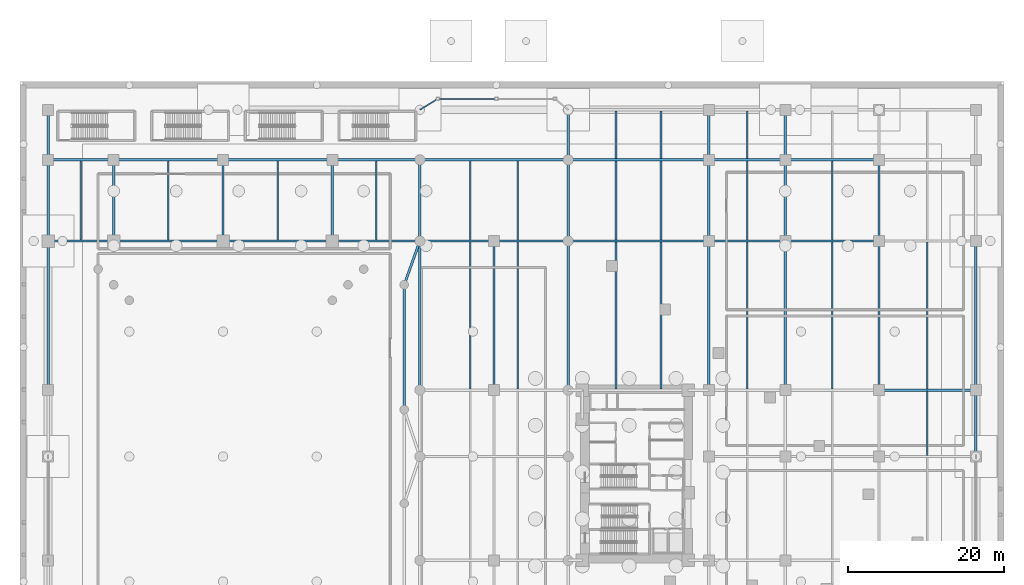
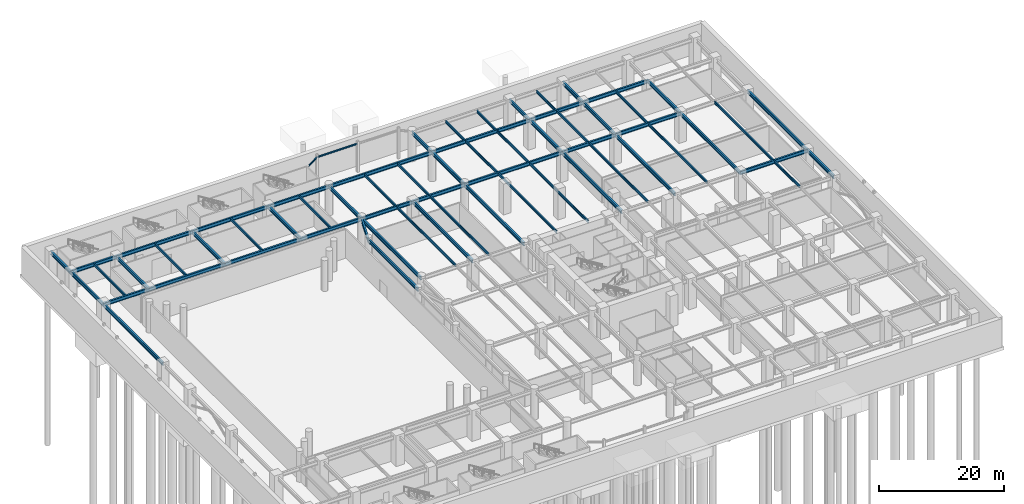
# One storey, part 14 of 37: 65 beams.
"""IFC4 building model written with IfcOpenShell, lengths in metres."""

from ifc_helpers import new_model, si_unit, direction, frame, origin, origin_2d, place, context, subcontext, project, spatial, i_section, extrude, material, material_profile, profile_set, type_object, element, save


model = new_model("IFC4")

# Units and contexts
model_context = context("Model", 3, precision=1e-05, world=origin(), true_north=direction((0.0, 1.0)))
body_context = subcontext(model_context, "Body", "Model", "MODEL_VIEW")
ifc_project = project(units=[si_unit("LENGTHUNIT", "METRE"), si_unit("AREAUNIT", "SQUARE_METRE"), si_unit("VOLUMEUNIT", "CUBIC_METRE"), si_unit("PLANEANGLEUNIT", "RADIAN"), si_unit("MASSUNIT", "GRAM", prefix="KILO")], contexts=[model_context])

# Site, building, storey
site_placement = place(None, origin())
site = spatial("IfcSite", under=ifc_project, at=site_placement, CompositionType="ELEMENT")
building_placement = place(site_placement, origin())
building = spatial("IfcBuilding", under=site, at=building_placement, Name="Narakoshi Arena Tower", CompositionType="ELEMENT")
storey_placement = place(building_placement, frame((0.0, 0.0, -6.0)))
storey = spatial("IfcBuildingStorey", under=building, at=storey_placement, Name="B01", CompositionType="ELEMENT", Elevation=-6.0)

# Beams
ifc_material = material(Name="Structural steel S355J2", Category="steel")
ifc_material_profile_1 = material_profile(ifc_material, i_section(OverallWidth=0.14990234375, OverallDepth=0.300048828125, WebThickness=0.007080078125, FlangeThickness=0.0107421875, FilletRadius=0.014892578125, at=origin_2d()), Name="IPE300")
ifc_profile_set_1 = profile_set([ifc_material_profile_1], Name="Structural steel S355J2")
beam_type_1 = type_object("IfcBeamType", Name="BM-CAN-300", PredefinedType="BEAM", material=ifc_profile_set_1)
beam_1_placement = place(storey_placement, frame((51.199951171875, 92.39990234375, 5.449951171875), z_axis=(0.854179295983, 0.519978586399, 0.0), x_axis=(-0.519978586399, 0.854179295983, 0.0)))
element("IfcBeam", 1, at=beam_1_placement, inside=storey, type_object=beam_type_1, Name="B01 Concourse Canopy Beam 05", PredefinedType="BEAM", context=body_context, shape_type="SweptSolid", body=[
    extrude(i_section(OverallWidth=0.14990234375, OverallDepth=0.300048828125, WebThickness=0.007080078125, FlangeThickness=0.0107421875, FilletRadius=0.014892578125, at=origin_2d()), origin(), (0.0, 0.0, 1.0), 2.692626953125),
])
beam_2_placement = place(storey_placement, frame((53.5, 93.800048828125, 5.449951171875), z_axis=(1.0, 0.0, 0.0), x_axis=(0.0, 1.0, 0.0)))
element("IfcBeam", 2, at=beam_2_placement, inside=storey, type_object=beam_type_1, Name="B01 Concourse Canopy Beam 06", PredefinedType="BEAM", context=body_context, shape_type="SweptSolid", body=[
    extrude(i_section(OverallWidth=0.14990234375, OverallDepth=0.300048828125, WebThickness=0.007080078125, FlangeThickness=0.0107421875, FilletRadius=0.014892578125, at=origin_2d()), origin(), (0.0, 0.0, 1.0), 7.5),
])
ifc_material_profile_2 = material_profile(ifc_material, i_section(OverallWidth=0.300048828125, OverallDepth=0.699951171875, WebThickness=0.01708984375, FlangeThickness=0.031982421875, FilletRadius=0.027099609375, at=origin_2d()), Name="HE700B")
ifc_profile_set_2 = profile_set([ifc_material_profile_2], Name="Structural steel S355J2")
beam_type_2 = type_object("IfcBeamType", Name="BM-PRI-700", PredefinedType="BEAM", material=ifc_profile_set_2)
beam_3_placement = place(storey_placement, frame((49.199951171875, 70.0, 5.25), z_axis=(0.336331195321, 0.94174376932, 0.0), x_axis=(-0.94174376932, 0.336331195321, 0.0)))
element("IfcBeam", 3, at=beam_3_placement, inside=storey, type_object=beam_type_2, Name="B01 Arena Foyer Tie Beam 04", PredefinedType="BEAM", context=body_context, shape_type="SweptSolid", body=[
    extrude(i_section(OverallWidth=0.300048828125, OverallDepth=0.699951171875, WebThickness=0.01708984375, FlangeThickness=0.031982421875, FilletRadius=0.027099609375, at=origin_2d()), origin(), (0.0, 0.0, 1.0), 5.946533203125),
])
beam_4_placement = place(storey_placement, frame((49.199951171875, 54.0, 5.25), z_axis=(0.0, 1.0, 0.0), x_axis=(-1.0, 0.0, 0.0)))
element("IfcBeam", 4, at=beam_4_placement, inside=storey, type_object=beam_type_2, Name="B01 Arena Foyer Ring Beam 54", PredefinedType="BEAM", context=body_context, shape_type="SweptSolid", body=[
    extrude(i_section(OverallWidth=0.300048828125, OverallDepth=0.699951171875, WebThickness=0.01708984375, FlangeThickness=0.031982421875, FilletRadius=0.027099609375, at=origin_2d()), origin(), (0.0, 0.0, 1.0), 16.0),
])
beam_5_placement = place(storey_placement, frame((110.0, 56.5, 5.25), z_axis=(1.0, 0.0, 0.0), x_axis=(0.0, 1.0, 0.0)))
element("IfcBeam", 5, at=beam_5_placement, inside=storey, type_object=beam_type_2, Name="B01 Podium Primary X-Girder 042", PredefinedType="BEAM", context=body_context, shape_type="SweptSolid", body=[
    extrude(i_section(OverallWidth=0.300048828125, OverallDepth=0.699951171875, WebThickness=0.01708984375, FlangeThickness=0.031982421875, FilletRadius=0.027099609375, at=origin_2d()), origin(), (0.0, 0.0, 1.0), 12.39990234375),
])
beam_6_placement = place(storey_placement, frame((3.60009765625, 75.60009765625, 5.25), z_axis=(1.0, 0.0, 0.0), x_axis=(0.0, 1.0, 0.0)))
element("IfcBeam", 6, at=beam_6_placement, inside=storey, type_object=beam_type_2, Name="B01 Podium Primary X-Girder 043", PredefinedType="BEAM", context=body_context, shape_type="SweptSolid", body=[
    extrude(i_section(OverallWidth=0.300048828125, OverallDepth=0.699951171875, WebThickness=0.01708984375, FlangeThickness=0.031982421875, FilletRadius=0.027099609375, at=origin_2d()), origin(), (0.0, 0.0, 1.0), 8.39990234375),
])
for number, where, z_axis, x_axis, name in (
    (7, (12.0, 75.60009765625, 5.25), (1.0, 0.0, 0.0), (0.0, 1.0, 0.0), "B01 Podium Primary X-Girder 044"),
    (8, (26.0, 75.60009765625, 5.25), (1.0, 0.0, 0.0), (0.0, 1.0, 0.0), "B01 Podium Primary X-Girder 045"),
):
    element("IfcBeam", number, at=place(storey_placement, frame(where, z_axis=z_axis, x_axis=x_axis)), inside=storey, type_object=beam_type_2, Name=name, PredefinedType="BEAM", context=body_context, shape_type="SweptSolid", body=[
        extrude(i_section(OverallWidth=0.300048828125, OverallDepth=0.699951171875, WebThickness=0.01708984375, FlangeThickness=0.031982421875, FilletRadius=0.027099609375, at=origin_2d()), origin(), (0.0, 0.0, 1.0), 14.0),
    ])
beam_7_placement = place(storey_placement, frame((40.0, 75.60009765625, 5.25), z_axis=(1.0, 0.0, 0.0), x_axis=(0.0, 1.0, 0.0)))
element("IfcBeam", 9, at=beam_7_placement, inside=storey, type_object=beam_type_2, Name="B01 Podium Primary X-Girder 046", PredefinedType="BEAM", context=body_context, shape_type="SweptSolid", body=[
    extrude(i_section(OverallWidth=0.300048828125, OverallDepth=0.699951171875, WebThickness=0.01708984375, FlangeThickness=0.031982421875, FilletRadius=0.027099609375, at=origin_2d()), origin(), (0.0, 0.0, 1.0), 11.199951171875),
])
for number, where, z_axis, x_axis, name in (
    (10, (51.199951171875, 75.60009765625, 5.25), (1.0, 0.0, 0.0), (0.0, 1.0, 0.0), "B01 Podium Primary X-Girder 047"),
    (11, (60.699951171875, 75.60009765625, 5.25), (1.0, 0.0, 0.0), (0.0, 1.0, 0.0), "B01 Podium Primary X-Girder 048"),
):
    element("IfcBeam", number, at=place(storey_placement, frame(where, z_axis=z_axis, x_axis=x_axis)), inside=storey, type_object=beam_type_2, Name=name, PredefinedType="BEAM", context=body_context, shape_type="SweptSolid", body=[
        extrude(i_section(OverallWidth=0.300048828125, OverallDepth=0.699951171875, WebThickness=0.01708984375, FlangeThickness=0.031982421875, FilletRadius=0.027099609375, at=origin_2d()), origin(), (0.0, 0.0, 1.0), 9.5),
    ])
beam_8_placement = place(storey_placement, frame((70.199951171875, 75.60009765625, 5.25), z_axis=(1.0, 0.0, 0.0), x_axis=(0.0, 1.0, 0.0)))
element("IfcBeam", 12, at=beam_8_placement, inside=storey, type_object=beam_type_2, Name="B01 Podium Primary X-Girder 049", PredefinedType="BEAM", context=body_context, shape_type="SweptSolid", body=[
    extrude(i_section(OverallWidth=0.300048828125, OverallDepth=0.699951171875, WebThickness=0.01708984375, FlangeThickness=0.031982421875, FilletRadius=0.027099609375, at=origin_2d()), origin(), (0.0, 0.0, 1.0), 18.0),
])
beam_9_placement = place(storey_placement, frame((88.199951171875, 75.60009765625, 5.25), z_axis=(1.0, 0.0, 0.0), x_axis=(0.0, 1.0, 0.0)))
element("IfcBeam", 13, at=beam_9_placement, inside=storey, type_object=beam_type_2, Name="B01 Podium Primary X-Girder 050", PredefinedType="BEAM", context=body_context, shape_type="SweptSolid", body=[
    extrude(i_section(OverallWidth=0.300048828125, OverallDepth=0.699951171875, WebThickness=0.01708984375, FlangeThickness=0.031982421875, FilletRadius=0.027099609375, at=origin_2d()), origin(), (0.0, 0.0, 1.0), 9.800048828125),
])
beam_10_placement = place(storey_placement, frame((98.0, 75.60009765625, 5.25), z_axis=(1.0, 0.0, 0.0), x_axis=(0.0, 1.0, 0.0)))
element("IfcBeam", 14, at=beam_10_placement, inside=storey, type_object=beam_type_2, Name="B01 Podium Primary X-Girder 051", PredefinedType="BEAM", context=body_context, shape_type="SweptSolid", body=[
    extrude(i_section(OverallWidth=0.300048828125, OverallDepth=0.699951171875, WebThickness=0.01708984375, FlangeThickness=0.031982421875, FilletRadius=0.027099609375, at=origin_2d()), origin(), (0.0, 0.0, 1.0), 12.0),
])
beam_11_placement = place(storey_placement, frame((3.60009765625, 86.0, 5.25), z_axis=(1.0, 0.0, 0.0), x_axis=(0.0, 1.0, 0.0)))
element("IfcBeam", 15, at=beam_11_placement, inside=storey, type_object=beam_type_2, Name="B01 Podium Primary X-Girder 053", PredefinedType="BEAM", context=body_context, shape_type="SweptSolid", body=[
    extrude(i_section(OverallWidth=0.300048828125, OverallDepth=0.699951171875, WebThickness=0.01708984375, FlangeThickness=0.031982421875, FilletRadius=0.027099609375, at=origin_2d()), origin(), (0.0, 0.0, 1.0), 8.39990234375),
])
for number, where, z_axis, x_axis, name in (
    (16, (12.0, 86.0, 5.25), (1.0, 0.0, 0.0), (0.0, 1.0, 0.0), "B01 Podium Primary X-Girder 054"),
    (17, (26.0, 86.0, 5.25), (1.0, 0.0, 0.0), (0.0, 1.0, 0.0), "B01 Podium Primary X-Girder 055"),
):
    element("IfcBeam", number, at=place(storey_placement, frame(where, z_axis=z_axis, x_axis=x_axis)), inside=storey, type_object=beam_type_2, Name=name, PredefinedType="BEAM", context=body_context, shape_type="SweptSolid", body=[
        extrude(i_section(OverallWidth=0.300048828125, OverallDepth=0.699951171875, WebThickness=0.01708984375, FlangeThickness=0.031982421875, FilletRadius=0.027099609375, at=origin_2d()), origin(), (0.0, 0.0, 1.0), 14.0),
    ])
beam_12_placement = place(storey_placement, frame((40.0, 86.0, 5.25), z_axis=(1.0, 0.0, 0.0), x_axis=(0.0, 1.0, 0.0)))
element("IfcBeam", 18, at=beam_12_placement, inside=storey, type_object=beam_type_2, Name="B01 Podium Primary X-Girder 056", PredefinedType="BEAM", context=body_context, shape_type="SweptSolid", body=[
    extrude(i_section(OverallWidth=0.300048828125, OverallDepth=0.699951171875, WebThickness=0.01708984375, FlangeThickness=0.031982421875, FilletRadius=0.027099609375, at=origin_2d()), origin(), (0.0, 0.0, 1.0), 11.199951171875),
])
beam_13_placement = place(storey_placement, frame((51.199951171875, 86.0, 5.25), z_axis=(1.0, 0.0, 0.0), x_axis=(0.0, 1.0, 0.0)))
element("IfcBeam", 19, at=beam_13_placement, inside=storey, type_object=beam_type_2, Name="B01 Podium Primary X-Girder 057", PredefinedType="BEAM", context=body_context, shape_type="SweptSolid", body=[
    extrude(i_section(OverallWidth=0.300048828125, OverallDepth=0.699951171875, WebThickness=0.01708984375, FlangeThickness=0.031982421875, FilletRadius=0.027099609375, at=origin_2d()), origin(), (0.0, 0.0, 1.0), 19.0),
])
beam_14_placement = place(storey_placement, frame((70.199951171875, 86.0, 5.25), z_axis=(1.0, 0.0, 0.0), x_axis=(0.0, 1.0, 0.0)))
element("IfcBeam", 20, at=beam_14_placement, inside=storey, type_object=beam_type_2, Name="B01 Podium Primary X-Girder 058", PredefinedType="BEAM", context=body_context, shape_type="SweptSolid", body=[
    extrude(i_section(OverallWidth=0.300048828125, OverallDepth=0.699951171875, WebThickness=0.01708984375, FlangeThickness=0.031982421875, FilletRadius=0.027099609375, at=origin_2d()), origin(), (0.0, 0.0, 1.0), 18.0),
])
beam_15_placement = place(storey_placement, frame((88.199951171875, 86.0, 5.25), z_axis=(1.0, 0.0, 0.0), x_axis=(0.0, 1.0, 0.0)))
element("IfcBeam", 21, at=beam_15_placement, inside=storey, type_object=beam_type_2, Name="B01 Podium Primary X-Girder 059", PredefinedType="BEAM", context=body_context, shape_type="SweptSolid", body=[
    extrude(i_section(OverallWidth=0.300048828125, OverallDepth=0.699951171875, WebThickness=0.01708984375, FlangeThickness=0.031982421875, FilletRadius=0.027099609375, at=origin_2d()), origin(), (0.0, 0.0, 1.0), 9.800048828125),
])
beam_16_placement = place(storey_placement, frame((98.0, 86.0, 5.25), z_axis=(1.0, 0.0, 0.0), x_axis=(0.0, 1.0, 0.0)))
element("IfcBeam", 22, at=beam_16_placement, inside=storey, type_object=beam_type_2, Name="B01 Podium Primary X-Girder 060", PredefinedType="BEAM", context=body_context, shape_type="SweptSolid", body=[
    extrude(i_section(OverallWidth=0.300048828125, OverallDepth=0.699951171875, WebThickness=0.01708984375, FlangeThickness=0.031982421875, FilletRadius=0.027099609375, at=origin_2d()), origin(), (0.0, 0.0, 1.0), 12.0),
])
beam_17_placement = place(storey_placement, frame((3.60009765625, 56.5, 5.25), z_axis=(0.0, 1.0, 0.0), x_axis=(-1.0, 0.0, 0.0)))
element("IfcBeam", 23, at=beam_17_placement, inside=storey, type_object=beam_type_2, Name="B01 Podium Primary Y-Girder 071", PredefinedType="BEAM", context=body_context, shape_type="SweptSolid", body=[
    extrude(i_section(OverallWidth=0.300048828125, OverallDepth=0.699951171875, WebThickness=0.01708984375, FlangeThickness=0.031982421875, FilletRadius=0.027099609375, at=origin_2d()), origin(), (0.0, 0.0, 1.0), 19.10009765625),
])
beam_18_placement = place(storey_placement, frame((3.60009765625, 75.60009765625, 5.25), z_axis=(0.0, 1.0, 0.0), x_axis=(-1.0, 0.0, 0.0)))
element("IfcBeam", 24, at=beam_18_placement, inside=storey, type_object=beam_type_2, Name="B01 Podium Primary Y-Girder 072", PredefinedType="BEAM", context=body_context, shape_type="SweptSolid", body=[
    extrude(i_section(OverallWidth=0.300048828125, OverallDepth=0.699951171875, WebThickness=0.01708984375, FlangeThickness=0.031982421875, FilletRadius=0.027099609375, at=origin_2d()), origin(), (0.0, 0.0, 1.0), 10.39990234375),
])
beam_19_placement = place(storey_placement, frame((3.60009765625, 86.0, 5.25), z_axis=(0.0, 1.0, 0.0), x_axis=(-1.0, 0.0, 0.0)))
element("IfcBeam", 25, at=beam_19_placement, inside=storey, type_object=beam_type_2, Name="B01 Podium Primary Y-Girder 073", PredefinedType="BEAM", context=body_context, shape_type="SweptSolid", body=[
    extrude(i_section(OverallWidth=0.300048828125, OverallDepth=0.699951171875, WebThickness=0.01708984375, FlangeThickness=0.031982421875, FilletRadius=0.027099609375, at=origin_2d()), origin(), (0.0, 0.0, 1.0), 6.39990234375),
])
for number, where, z_axis, x_axis, name in (
    (26, (12.0, 75.60009765625, 5.25), (0.0, 1.0, 0.0), (-1.0, 0.0, 0.0), "B01 Podium Primary Y-Girder 075"),
    (27, (26.0, 75.60009765625, 5.25), (0.0, 1.0, 0.0), (-1.0, 0.0, 0.0), "B01 Podium Primary Y-Girder 077"),
    (28, (40.0, 75.60009765625, 5.25), (0.0, 1.0, 0.0), (-1.0, 0.0, 0.0), "B01 Podium Primary Y-Girder 079"),
):
    element("IfcBeam", number, at=place(storey_placement, frame(where, z_axis=z_axis, x_axis=x_axis)), inside=storey, type_object=beam_type_2, Name=name, PredefinedType="BEAM", context=body_context, shape_type="SweptSolid", body=[
        extrude(i_section(OverallWidth=0.300048828125, OverallDepth=0.699951171875, WebThickness=0.01708984375, FlangeThickness=0.031982421875, FilletRadius=0.027099609375, at=origin_2d()), origin(), (0.0, 0.0, 1.0), 10.39990234375),
    ])
beam_20_placement = place(storey_placement, frame((51.199951171875, 56.5, 5.25), z_axis=(0.0, 1.0, 0.0), x_axis=(-1.0, 0.0, 0.0)))
element("IfcBeam", 29, at=beam_20_placement, inside=storey, type_object=beam_type_2, Name="B01 Podium Primary Y-Girder 084", PredefinedType="BEAM", context=body_context, shape_type="SweptSolid", body=[
    extrude(i_section(OverallWidth=0.300048828125, OverallDepth=0.699951171875, WebThickness=0.01708984375, FlangeThickness=0.031982421875, FilletRadius=0.027099609375, at=origin_2d()), origin(), (0.0, 0.0, 1.0), 19.10009765625),
])
beam_21_placement = place(storey_placement, frame((51.199951171875, 75.60009765625, 5.25), z_axis=(0.0, 1.0, 0.0), x_axis=(-1.0, 0.0, 0.0)))
element("IfcBeam", 30, at=beam_21_placement, inside=storey, type_object=beam_type_2, Name="B01 Podium Primary Y-Girder 085", PredefinedType="BEAM", context=body_context, shape_type="SweptSolid", body=[
    extrude(i_section(OverallWidth=0.300048828125, OverallDepth=0.699951171875, WebThickness=0.01708984375, FlangeThickness=0.031982421875, FilletRadius=0.027099609375, at=origin_2d()), origin(), (0.0, 0.0, 1.0), 10.39990234375),
])
for number, where, z_axis, x_axis, name in (
    (31, (60.699951171875, 56.5, 5.25), (0.0, 1.0, 0.0), (-1.0, 0.0, 0.0), "B01 Podium Primary Y-Girder 088"),
    (32, (70.199951171875, 56.5, 5.25), (0.0, 1.0, 0.0), (-1.0, 0.0, 0.0), "B01 Podium Primary Y-Girder 094"),
):
    element("IfcBeam", number, at=place(storey_placement, frame(where, z_axis=z_axis, x_axis=x_axis)), inside=storey, type_object=beam_type_2, Name=name, PredefinedType="BEAM", context=body_context, shape_type="SweptSolid", body=[
        extrude(i_section(OverallWidth=0.300048828125, OverallDepth=0.699951171875, WebThickness=0.01708984375, FlangeThickness=0.031982421875, FilletRadius=0.027099609375, at=origin_2d()), origin(), (0.0, 0.0, 1.0), 19.10009765625),
    ])
beam_22_placement = place(storey_placement, frame((70.199951171875, 75.60009765625, 5.25), z_axis=(0.0, 1.0, 0.0), x_axis=(-1.0, 0.0, 0.0)))
element("IfcBeam", 33, at=beam_22_placement, inside=storey, type_object=beam_type_2, Name="B01 Podium Primary Y-Girder 095", PredefinedType="BEAM", context=body_context, shape_type="SweptSolid", body=[
    extrude(i_section(OverallWidth=0.300048828125, OverallDepth=0.699951171875, WebThickness=0.01708984375, FlangeThickness=0.031982421875, FilletRadius=0.027099609375, at=origin_2d()), origin(), (0.0, 0.0, 1.0), 10.39990234375),
])
beam_23_placement = place(storey_placement, frame((70.199951171875, 86.0, 5.25), z_axis=(0.0, 1.0, 0.0), x_axis=(-1.0, 0.0, 0.0)))
element("IfcBeam", 34, at=beam_23_placement, inside=storey, type_object=beam_type_2, Name="B01 Podium Primary Y-Girder 096", PredefinedType="BEAM", context=body_context, shape_type="SweptSolid", body=[
    extrude(i_section(OverallWidth=0.300048828125, OverallDepth=0.699951171875, WebThickness=0.01708984375, FlangeThickness=0.031982421875, FilletRadius=0.027099609375, at=origin_2d()), origin(), (0.0, 0.0, 1.0), 6.39990234375),
])
beam_24_placement = place(storey_placement, frame((88.199951171875, 56.5, 5.25), z_axis=(0.0, 1.0, 0.0), x_axis=(-1.0, 0.0, 0.0)))
element("IfcBeam", 35, at=beam_24_placement, inside=storey, type_object=beam_type_2, Name="B01 Podium Primary Y-Girder 103", PredefinedType="BEAM", context=body_context, shape_type="SweptSolid", body=[
    extrude(i_section(OverallWidth=0.300048828125, OverallDepth=0.699951171875, WebThickness=0.01708984375, FlangeThickness=0.031982421875, FilletRadius=0.027099609375, at=origin_2d()), origin(), (0.0, 0.0, 1.0), 19.10009765625),
])
beam_25_placement = place(storey_placement, frame((88.199951171875, 75.60009765625, 5.25), z_axis=(0.0, 1.0, 0.0), x_axis=(-1.0, 0.0, 0.0)))
element("IfcBeam", 36, at=beam_25_placement, inside=storey, type_object=beam_type_2, Name="B01 Podium Primary Y-Girder 104", PredefinedType="BEAM", context=body_context, shape_type="SweptSolid", body=[
    extrude(i_section(OverallWidth=0.300048828125, OverallDepth=0.699951171875, WebThickness=0.01708984375, FlangeThickness=0.031982421875, FilletRadius=0.027099609375, at=origin_2d()), origin(), (0.0, 0.0, 1.0), 10.39990234375),
])
beam_26_placement = place(storey_placement, frame((88.199951171875, 86.0, 5.25), z_axis=(0.0, 1.0, 0.0), x_axis=(-1.0, 0.0, 0.0)))
element("IfcBeam", 37, at=beam_26_placement, inside=storey, type_object=beam_type_2, Name="B01 Podium Primary Y-Girder 105", PredefinedType="BEAM", context=body_context, shape_type="SweptSolid", body=[
    extrude(i_section(OverallWidth=0.300048828125, OverallDepth=0.699951171875, WebThickness=0.01708984375, FlangeThickness=0.031982421875, FilletRadius=0.027099609375, at=origin_2d()), origin(), (0.0, 0.0, 1.0), 6.39990234375),
])
beam_27_placement = place(storey_placement, frame((98.0, 56.5, 5.25), z_axis=(0.0, 1.0, 0.0), x_axis=(-1.0, 0.0, 0.0)))
element("IfcBeam", 38, at=beam_27_placement, inside=storey, type_object=beam_type_2, Name="B01 Podium Primary Y-Girder 111", PredefinedType="BEAM", context=body_context, shape_type="SweptSolid", body=[
    extrude(i_section(OverallWidth=0.300048828125, OverallDepth=0.699951171875, WebThickness=0.01708984375, FlangeThickness=0.031982421875, FilletRadius=0.027099609375, at=origin_2d()), origin(), (0.0, 0.0, 1.0), 19.10009765625),
])
beam_28_placement = place(storey_placement, frame((98.0, 75.60009765625, 5.25), z_axis=(0.0, 1.0, 0.0), x_axis=(-1.0, 0.0, 0.0)))
element("IfcBeam", 39, at=beam_28_placement, inside=storey, type_object=beam_type_2, Name="B01 Podium Primary Y-Girder 112", PredefinedType="BEAM", context=body_context, shape_type="SweptSolid", body=[
    extrude(i_section(OverallWidth=0.300048828125, OverallDepth=0.699951171875, WebThickness=0.01708984375, FlangeThickness=0.031982421875, FilletRadius=0.027099609375, at=origin_2d()), origin(), (0.0, 0.0, 1.0), 10.39990234375),
])
beam_29_placement = place(storey_placement, frame((98.0, 86.0, 5.25), z_axis=(0.0, 1.0, 0.0), x_axis=(-1.0, 0.0, 0.0)))
element("IfcBeam", 40, at=beam_29_placement, inside=storey, type_object=beam_type_2, Name="B01 Podium Primary Y-Girder 113", PredefinedType="BEAM", context=body_context, shape_type="SweptSolid", body=[
    extrude(i_section(OverallWidth=0.300048828125, OverallDepth=0.699951171875, WebThickness=0.01708984375, FlangeThickness=0.031982421875, FilletRadius=0.027099609375, at=origin_2d()), origin(), (0.0, 0.0, 1.0), 6.39990234375),
])
beam_30_placement = place(storey_placement, frame((110.0, 56.5, 5.25), z_axis=(0.0, 1.0, 0.0), x_axis=(-1.0, 0.0, 0.0)))
element("IfcBeam", 41, at=beam_30_placement, inside=storey, type_object=beam_type_2, Name="B01 Podium Primary Y-Girder 119", PredefinedType="BEAM", context=body_context, shape_type="SweptSolid", body=[
    extrude(i_section(OverallWidth=0.300048828125, OverallDepth=0.699951171875, WebThickness=0.01708984375, FlangeThickness=0.031982421875, FilletRadius=0.027099609375, at=origin_2d()), origin(), (0.0, 0.0, 1.0), 19.10009765625),
])
beam_31_placement = place(storey_placement, frame((110.0, 75.60009765625, 5.25), z_axis=(0.0, 1.0, 0.0), x_axis=(-1.0, 0.0, 0.0)))
element("IfcBeam", 42, at=beam_31_placement, inside=storey, type_object=beam_type_2, Name="B01 Podium Primary Y-Girder 120", PredefinedType="BEAM", context=body_context, shape_type="SweptSolid", body=[
    extrude(i_section(OverallWidth=0.300048828125, OverallDepth=0.699951171875, WebThickness=0.01708984375, FlangeThickness=0.031982421875, FilletRadius=0.027099609375, at=origin_2d()), origin(), (0.0, 0.0, 1.0), 10.39990234375),
])
beam_32_placement = place(storey_placement, frame((122.39990234375, 48.0, 5.25), z_axis=(0.0, 1.0, 0.0), x_axis=(-1.0, 0.0, 0.0)))
element("IfcBeam", 43, at=beam_32_placement, inside=storey, type_object=beam_type_2, Name="B01 Podium Primary Y-Girder 126", PredefinedType="BEAM", context=body_context, shape_type="SweptSolid", body=[
    extrude(i_section(OverallWidth=0.300048828125, OverallDepth=0.699951171875, WebThickness=0.01708984375, FlangeThickness=0.031982421875, FilletRadius=0.027099609375, at=origin_2d()), origin(), (0.0, 0.0, 1.0), 8.5),
])
beam_33_placement = place(storey_placement, frame((122.39990234375, 56.5, 5.25), z_axis=(0.0, 1.0, 0.0), x_axis=(-1.0, 0.0, 0.0)))
element("IfcBeam", 44, at=beam_33_placement, inside=storey, type_object=beam_type_2, Name="B01 Podium Primary Y-Girder 127", PredefinedType="BEAM", context=body_context, shape_type="SweptSolid", body=[
    extrude(i_section(OverallWidth=0.300048828125, OverallDepth=0.699951171875, WebThickness=0.01708984375, FlangeThickness=0.031982421875, FilletRadius=0.027099609375, at=origin_2d()), origin(), (0.0, 0.0, 1.0), 19.10009765625),
])
ifc_material_profile_3 = material_profile(ifc_material, i_section(OverallWidth=0.199951171875, OverallDepth=0.5, WebThickness=0.01025390625, FlangeThickness=0.01611328125, FilletRadius=0.02099609375, at=origin_2d()), Name="IPE500")
ifc_profile_set_3 = profile_set([ifc_material_profile_3], Name="Structural steel S355J2")
beam_type_3 = type_object("IfcBeamType", Name="BM-SEC-500", PredefinedType="JOIST", material=ifc_profile_set_3)
for number, where, z_axis, x_axis, name in (
    (45, (7.800048828125, 75.735107421875, 5.35009765625), (0.0, 1.0, 0.0), (-1.0, 0.0, 0.0), "B01 Podium Composite Floor Joist 002"),
    (46, (19.0, 75.735107421875, 5.35009765625), (0.0, 1.0, 0.0), (-1.0, 0.0, 0.0), "B01 Podium Composite Floor Joist 004"),
    (47, (33.0, 75.735107421875, 5.35009765625), (0.0, 1.0, 0.0), (-1.0, 0.0, 0.0), "B01 Podium Composite Floor Joist 006"),
    (48, (45.60009765625, 75.735107421875, 5.35009765625), (0.0, 1.0, 0.0), (-1.0, 0.0, 0.0), "B01 Podium Composite Floor Joist 008"),
):
    element("IfcBeam", number, at=place(storey_placement, frame(where, z_axis=z_axis, x_axis=x_axis)), inside=storey, type_object=beam_type_3, Name=name, PredefinedType="JOIST", context=body_context, shape_type="SweptSolid", body=[
        extrude(i_section(OverallWidth=0.199951171875, OverallDepth=0.5, WebThickness=0.01025390625, FlangeThickness=0.01611328125, FilletRadius=0.02099609375, at=origin_2d()), origin(), (0.0, 0.0, 1.0), 10.1298828125),
    ])
beam_34_placement = place(storey_placement, frame((57.659912109375, 56.635009765625, 5.35009765625), z_axis=(0.0, 1.0, 0.0), x_axis=(-1.0, 0.0, 0.0)))
element("IfcBeam", 49, at=beam_34_placement, inside=storey, type_object=beam_type_3, Name="B01 Podium Composite Floor Joist 013", PredefinedType="JOIST", context=body_context, shape_type="SweptSolid", body=[
    extrude(i_section(OverallWidth=0.199951171875, OverallDepth=0.5, WebThickness=0.01025390625, FlangeThickness=0.01611328125, FilletRadius=0.02099609375, at=origin_2d()), origin(), (0.0, 0.0, 1.0), 18.830078125),
])
beam_35_placement = place(storey_placement, frame((57.659912109375, 75.735107421875, 5.35009765625), z_axis=(0.0, 1.0, 0.0), x_axis=(-1.0, 0.0, 0.0)))
element("IfcBeam", 50, at=beam_35_placement, inside=storey, type_object=beam_type_3, Name="B01 Podium Composite Floor Joist 014", PredefinedType="JOIST", context=body_context, shape_type="SweptSolid", body=[
    extrude(i_section(OverallWidth=0.199951171875, OverallDepth=0.5, WebThickness=0.01025390625, FlangeThickness=0.01611328125, FilletRadius=0.02099609375, at=origin_2d()), origin(), (0.0, 0.0, 1.0), 10.1298828125),
])
beam_36_placement = place(storey_placement, frame((63.739990234375, 56.635009765625, 5.35009765625), z_axis=(0.0, 1.0, 0.0), x_axis=(-1.0, 0.0, 0.0)))
element("IfcBeam", 51, at=beam_36_placement, inside=storey, type_object=beam_type_3, Name="B01 Podium Composite Floor Joist 019", PredefinedType="JOIST", context=body_context, shape_type="SweptSolid", body=[
    extrude(i_section(OverallWidth=0.199951171875, OverallDepth=0.5, WebThickness=0.01025390625, FlangeThickness=0.01611328125, FilletRadius=0.02099609375, at=origin_2d()), origin(), (0.0, 0.0, 1.0), 18.830078125),
])
beam_37_placement = place(storey_placement, frame((63.739990234375, 75.735107421875, 5.35009765625), z_axis=(0.0, 1.0, 0.0), x_axis=(-1.0, 0.0, 0.0)))
element("IfcBeam", 52, at=beam_37_placement, inside=storey, type_object=beam_type_3, Name="B01 Podium Composite Floor Joist 020", PredefinedType="JOIST", context=body_context, shape_type="SweptSolid", body=[
    extrude(i_section(OverallWidth=0.199951171875, OverallDepth=0.5, WebThickness=0.01025390625, FlangeThickness=0.01611328125, FilletRadius=0.02099609375, at=origin_2d()), origin(), (0.0, 0.0, 1.0), 10.1298828125),
])
beam_38_placement = place(storey_placement, frame((76.320068359375, 56.635009765625, 5.35009765625), z_axis=(0.0, 1.0, 0.0), x_axis=(-1.0, 0.0, 0.0)))
element("IfcBeam", 53, at=beam_38_placement, inside=storey, type_object=beam_type_3, Name="B01 Podium Composite Floor Joist 023", PredefinedType="JOIST", context=body_context, shape_type="SweptSolid", body=[
    extrude(i_section(OverallWidth=0.199951171875, OverallDepth=0.5, WebThickness=0.01025390625, FlangeThickness=0.01611328125, FilletRadius=0.02099609375, at=origin_2d()), origin(), (0.0, 0.0, 1.0), 18.830078125),
])
beam_39_placement = place(storey_placement, frame((76.320068359375, 75.735107421875, 5.35009765625), z_axis=(0.0, 1.0, 0.0), x_axis=(-1.0, 0.0, 0.0)))
element("IfcBeam", 54, at=beam_39_placement, inside=storey, type_object=beam_type_3, Name="B01 Podium Composite Floor Joist 024", PredefinedType="JOIST", context=body_context, shape_type="SweptSolid", body=[
    extrude(i_section(OverallWidth=0.199951171875, OverallDepth=0.5, WebThickness=0.01025390625, FlangeThickness=0.01611328125, FilletRadius=0.02099609375, at=origin_2d()), origin(), (0.0, 0.0, 1.0), 10.1298828125),
])
beam_40_placement = place(storey_placement, frame((76.320068359375, 86.135009765625, 5.35009765625), z_axis=(0.0, 1.0, 0.0), x_axis=(-1.0, 0.0, 0.0)))
element("IfcBeam", 55, at=beam_40_placement, inside=storey, type_object=beam_type_3, Name="B01 Podium Composite Floor Joist 025", PredefinedType="JOIST", context=body_context, shape_type="SweptSolid", body=[
    extrude(i_section(OverallWidth=0.199951171875, OverallDepth=0.5, WebThickness=0.01025390625, FlangeThickness=0.01611328125, FilletRadius=0.02099609375, at=origin_2d()), origin(), (0.0, 0.0, 1.0), 6.1298828125),
])
beam_41_placement = place(storey_placement, frame((82.080078125, 56.635009765625, 5.35009765625), z_axis=(0.0, 1.0, 0.0), x_axis=(-1.0, 0.0, 0.0)))
element("IfcBeam", 56, at=beam_41_placement, inside=storey, type_object=beam_type_3, Name="B01 Podium Composite Floor Joist 028", PredefinedType="JOIST", context=body_context, shape_type="SweptSolid", body=[
    extrude(i_section(OverallWidth=0.199951171875, OverallDepth=0.5, WebThickness=0.01025390625, FlangeThickness=0.01611328125, FilletRadius=0.02099609375, at=origin_2d()), origin(), (0.0, 0.0, 1.0), 18.830078125),
])
beam_42_placement = place(storey_placement, frame((82.080078125, 75.735107421875, 5.35009765625), z_axis=(0.0, 1.0, 0.0), x_axis=(-1.0, 0.0, 0.0)))
element("IfcBeam", 57, at=beam_42_placement, inside=storey, type_object=beam_type_3, Name="B01 Podium Composite Floor Joist 029", PredefinedType="JOIST", context=body_context, shape_type="SweptSolid", body=[
    extrude(i_section(OverallWidth=0.199951171875, OverallDepth=0.5, WebThickness=0.01025390625, FlangeThickness=0.01611328125, FilletRadius=0.02099609375, at=origin_2d()), origin(), (0.0, 0.0, 1.0), 10.1298828125),
])
beam_43_placement = place(storey_placement, frame((82.080078125, 86.135009765625, 5.35009765625), z_axis=(0.0, 1.0, 0.0), x_axis=(-1.0, 0.0, 0.0)))
element("IfcBeam", 58, at=beam_43_placement, inside=storey, type_object=beam_type_3, Name="B01 Podium Composite Floor Joist 030", PredefinedType="JOIST", context=body_context, shape_type="SweptSolid", body=[
    extrude(i_section(OverallWidth=0.199951171875, OverallDepth=0.5, WebThickness=0.01025390625, FlangeThickness=0.01611328125, FilletRadius=0.02099609375, at=origin_2d()), origin(), (0.0, 0.0, 1.0), 6.1298828125),
])
beam_44_placement = place(storey_placement, frame((93.10009765625, 56.635009765625, 5.35009765625), z_axis=(0.0, 1.0, 0.0), x_axis=(-1.0, 0.0, 0.0)))
element("IfcBeam", 59, at=beam_44_placement, inside=storey, type_object=beam_type_3, Name="B01 Podium Composite Floor Joist 036", PredefinedType="JOIST", context=body_context, shape_type="SweptSolid", body=[
    extrude(i_section(OverallWidth=0.199951171875, OverallDepth=0.5, WebThickness=0.01025390625, FlangeThickness=0.01611328125, FilletRadius=0.02099609375, at=origin_2d()), origin(), (0.0, 0.0, 1.0), 18.830078125),
])
beam_45_placement = place(storey_placement, frame((93.10009765625, 75.735107421875, 5.35009765625), z_axis=(0.0, 1.0, 0.0), x_axis=(-1.0, 0.0, 0.0)))
element("IfcBeam", 60, at=beam_45_placement, inside=storey, type_object=beam_type_3, Name="B01 Podium Composite Floor Joist 037", PredefinedType="JOIST", context=body_context, shape_type="SweptSolid", body=[
    extrude(i_section(OverallWidth=0.199951171875, OverallDepth=0.5, WebThickness=0.01025390625, FlangeThickness=0.01611328125, FilletRadius=0.02099609375, at=origin_2d()), origin(), (0.0, 0.0, 1.0), 10.1298828125),
])
beam_46_placement = place(storey_placement, frame((93.10009765625, 86.135009765625, 5.35009765625), z_axis=(0.0, 1.0, 0.0), x_axis=(-1.0, 0.0, 0.0)))
element("IfcBeam", 61, at=beam_46_placement, inside=storey, type_object=beam_type_3, Name="B01 Podium Composite Floor Joist 038", PredefinedType="JOIST", context=body_context, shape_type="SweptSolid", body=[
    extrude(i_section(OverallWidth=0.199951171875, OverallDepth=0.5, WebThickness=0.01025390625, FlangeThickness=0.01611328125, FilletRadius=0.02099609375, at=origin_2d()), origin(), (0.0, 0.0, 1.0), 6.1298828125),
])
beam_47_placement = place(storey_placement, frame((104.0, 56.635009765625, 5.35009765625), z_axis=(0.0, 1.0, 0.0), x_axis=(-1.0, 0.0, 0.0)))
element("IfcBeam", 62, at=beam_47_placement, inside=storey, type_object=beam_type_3, Name="B01 Podium Composite Floor Joist 044", PredefinedType="JOIST", context=body_context, shape_type="SweptSolid", body=[
    extrude(i_section(OverallWidth=0.199951171875, OverallDepth=0.5, WebThickness=0.01025390625, FlangeThickness=0.01611328125, FilletRadius=0.02099609375, at=origin_2d()), origin(), (0.0, 0.0, 1.0), 18.830078125),
])
beam_48_placement = place(storey_placement, frame((104.0, 75.735107421875, 5.35009765625), z_axis=(0.0, 1.0, 0.0), x_axis=(-1.0, 0.0, 0.0)))
element("IfcBeam", 63, at=beam_48_placement, inside=storey, type_object=beam_type_3, Name="B01 Podium Composite Floor Joist 045", PredefinedType="JOIST", context=body_context, shape_type="SweptSolid", body=[
    extrude(i_section(OverallWidth=0.199951171875, OverallDepth=0.5, WebThickness=0.01025390625, FlangeThickness=0.01611328125, FilletRadius=0.02099609375, at=origin_2d()), origin(), (0.0, 0.0, 1.0), 10.1298828125),
])
beam_49_placement = place(storey_placement, frame((116.199951171875, 48.135009765625, 5.35009765625), z_axis=(0.0, 1.0, 0.0), x_axis=(-1.0, 0.0, 0.0)))
element("IfcBeam", 64, at=beam_49_placement, inside=storey, type_object=beam_type_3, Name="B01 Podium Composite Floor Joist 051", PredefinedType="JOIST", context=body_context, shape_type="SweptSolid", body=[
    extrude(i_section(OverallWidth=0.199951171875, OverallDepth=0.5, WebThickness=0.01025390625, FlangeThickness=0.01611328125, FilletRadius=0.02099609375, at=origin_2d()), origin(), (0.0, 0.0, 1.0), 8.22998046875),
])
beam_50_placement = place(storey_placement, frame((116.199951171875, 56.635009765625, 5.35009765625), z_axis=(0.0, 1.0, 0.0), x_axis=(-1.0, 0.0, 0.0)))
element("IfcBeam", 65, at=beam_50_placement, inside=storey, type_object=beam_type_3, Name="B01 Podium Composite Floor Joist 052", PredefinedType="JOIST", context=body_context, shape_type="SweptSolid", body=[
    extrude(i_section(OverallWidth=0.199951171875, OverallDepth=0.5, WebThickness=0.01025390625, FlangeThickness=0.01611328125, FilletRadius=0.02099609375, at=origin_2d()), origin(), (0.0, 0.0, 1.0), 18.830078125),
])

save(model, "model.ifc")
